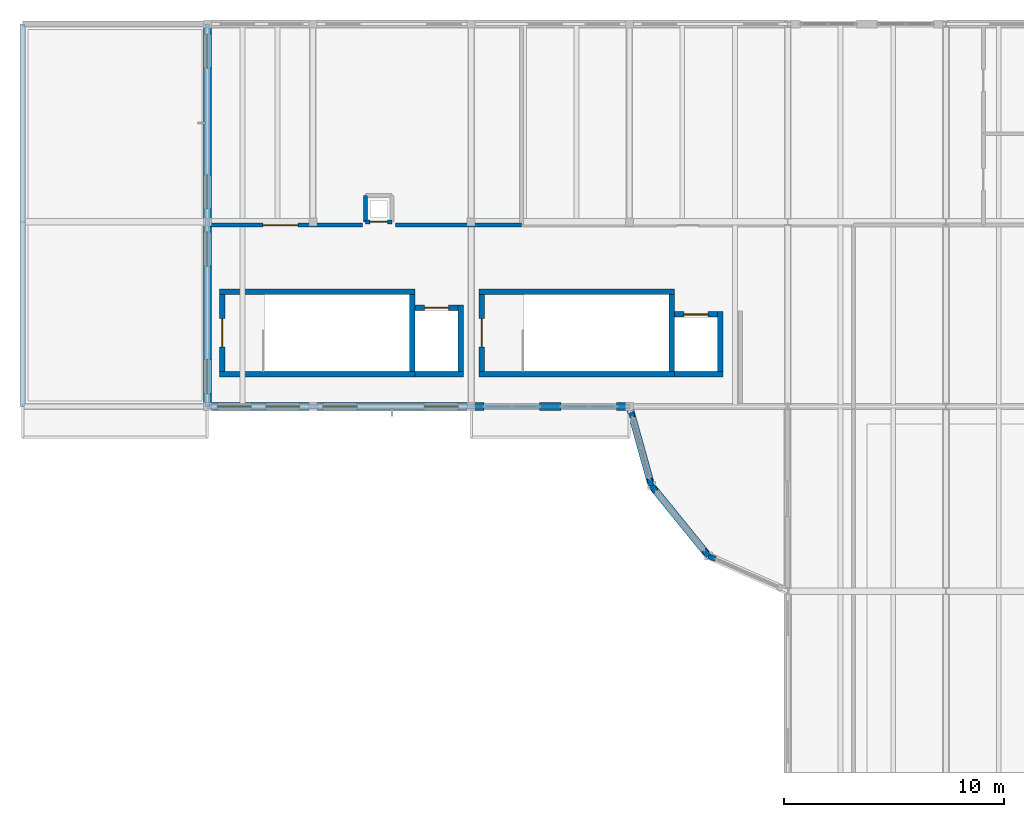
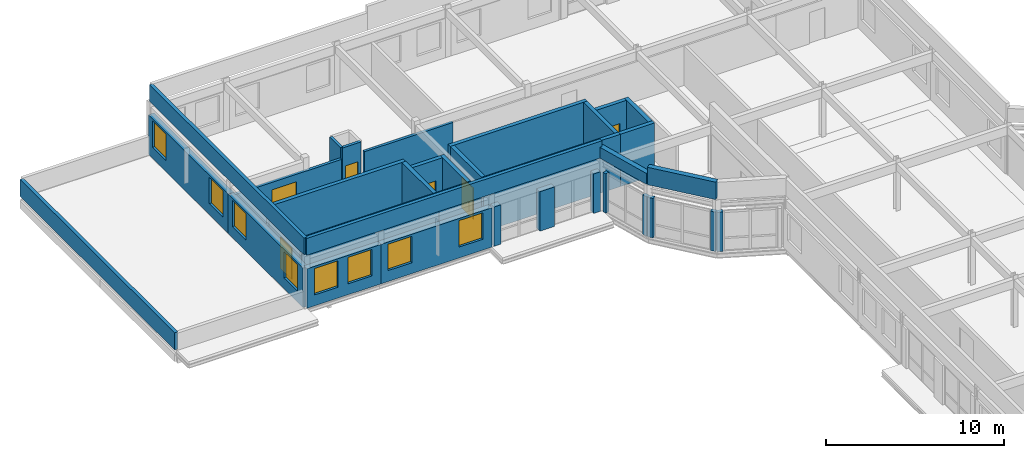
# One storey, part 17 of 21: 35 walls, 8 windows, 6 doors, 14 openings.
"""IFC4 building model written with IfcOpenShell, lengths in metres."""

import ifcopenshell
import ifcopenshell.guid

model = None  # the IFC model being written
_history = None  # IfcOwnerHistory: only IFC2X3 demands one
_inside = {}  # id of a spatial element -> (the spatial element, [elements in it])
_under = {}  # id of a project, library or spatial element -> (it, [spatial elements below it])
_declared = {}  # id of a project -> (the project, [libraries it declares])
_typed = {}  # id of a type object -> (the type object, [elements of that type])
_made_of = {}  # id of a material, layer set ... -> (it, [elements and type objects made of it])


def new_model(schema):
    """Start an empty IFC model of exactly this schema.

    Asked for "IFC4X3", IfcOpenShell would pick the latest addendum, in which some entities
    have other attributes; the version numbers below select the first issue.
    IFC2X3 requires an IfcOwnerHistory on every rooted entity: one is made here for all.
    """
    global model, _history
    if schema == "IFC4X3":
        model = ifcopenshell.file(schema_version=(4, 3, 0, 0))
    else:
        model = ifcopenshell.file(schema=schema)
    _inside.clear()
    _under.clear()
    _declared.clear()
    _typed.clear()
    _made_of.clear()
    _history = None
    if model.schema == "IFC2X3":
        org = make("IfcOrganization", Name="unknown")
        user = make(
            "IfcPersonAndOrganization",
            ThePerson=make("IfcPerson", FamilyName="unknown"),
            TheOrganization=org,
        )
        app = make(
            "IfcApplication",
            ApplicationDeveloper=org,
            Version="unknown",
            ApplicationFullName="unknown",
            ApplicationIdentifier="unknown",
        )
        _history = make(
            "IfcOwnerHistory",
            OwningUser=user,
            OwningApplication=app,
            ChangeAction="ADDED",
            CreationDate=0,
        )
    return model


def make(cls, **values):
    """One entity of the class cls with the attributes given. An attribute that is None is left unset."""
    return model.create_entity(
        cls, **{name: value for name, value in values.items() if value is not None}
    )


def rooted(cls, **values):
    """An entity with a GlobalId (a new one), such as an element, a storey or a relation."""
    return make(cls, GlobalId=ifcopenshell.guid.new(), OwnerHistory=_history, **values)


def si_unit(unit_type, name, prefix=None):
    """IfcSIUnit, for example si_unit("LENGTHUNIT", "METRE", prefix="MILLI")."""
    return make("IfcSIUnit", UnitType=unit_type, Prefix=prefix, Name=name)


def assignment(units):
    """IfcUnitAssignment: the units of a project."""
    return None if units is None else make("IfcUnitAssignment", Units=units)


def point(xyz):
    """IfcCartesianPoint."""
    return None if xyz is None else make("IfcCartesianPoint", Coordinates=xyz)


def direction(xyz):
    """IfcDirection."""
    return None if xyz is None else make("IfcDirection", DirectionRatios=xyz)


def frame(location, z_axis=None, x_axis=None):
    """IfcAxis2Placement3D, a coordinate frame: its origin and axes. An axis left out is left unset."""
    return make(
        "IfcAxis2Placement3D",
        Location=point(location),
        Axis=direction(z_axis),
        RefDirection=direction(x_axis),
    )


def frame_2d(location, x_axis=None):
    """IfcAxis2Placement2D, a coordinate frame in the plane: its origin and x axis."""
    return make(
        "IfcAxis2Placement2D", Location=point(location), RefDirection=direction(x_axis)
    )


def origin():
    """The frame at (0, 0, 0) with its axes left unset."""
    return frame((0.0, 0.0, 0.0))


def place(relative_to, where):
    """IfcLocalPlacement: puts the frame where relative to a parent placement (None: the world)."""
    return make(
        "IfcLocalPlacement", PlacementRelTo=relative_to, RelativePlacement=where
    )


def context(
    kind, dimensions, precision=None, world=None, true_north=None, identifier=None
):
    """IfcGeometricRepresentationContext, for example the 3D "Model" context."""
    return make(
        "IfcGeometricRepresentationContext",
        ContextIdentifier=identifier,
        ContextType=kind,
        CoordinateSpaceDimension=dimensions,
        Precision=precision,
        WorldCoordinateSystem=world,
        TrueNorth=true_north,
    )


def subcontext(parent, identifier, kind, view, scale=None):
    """IfcGeometricRepresentationSubContext, for example "Body" below "Model"."""
    return make(
        "IfcGeometricRepresentationSubContext",
        ContextIdentifier=identifier,
        ContextType=kind,
        ParentContext=parent,
        TargetScale=scale,
        TargetView=view,
    )


def project(units=None, contexts=None):
    """IfcProject with its units and contexts."""
    return rooted(
        "IfcProject",
        Name="project",
        RepresentationContexts=contexts,
        UnitsInContext=assignment(units),
    )


def spatial(cls, under=None, at=None, **own):
    """A site, building, storey or space (cls), placed at a placement, below another one or the project."""
    s = rooted(cls, ObjectPlacement=at, **own)
    if under is not None:
        _under.setdefault(under.id(), (under, []))[1].append(s)
    return s


def profile(cls, at=None, kind="AREA", **sizes):
    """A parametric profile (cls). Its sizes go by their IFC names, for example OverallWidth=200.0."""
    return make(cls, ProfileType=kind, Position=at, **sizes)


def rectangle(**sizes):
    """IfcRectangleProfileDef."""
    return profile("IfcRectangleProfileDef", **sizes)


def extrude(swept, where, along, depth):
    """IfcExtrudedAreaSolid: the profile swept, set in the frame where, extruded along a direction by depth."""
    return make(
        "IfcExtrudedAreaSolid",
        SweptArea=swept,
        Position=where,
        ExtrudedDirection=direction(along),
        Depth=depth,
    )


def shape(context_of_items, identifier, shape_type, items):
    """IfcShapeRepresentation: the items that make up one representation, for example the "Body"."""
    return make(
        "IfcShapeRepresentation",
        ContextOfItems=context_of_items,
        RepresentationIdentifier=identifier,
        RepresentationType=shape_type,
        Items=items,
    )


def material(Name=None, Category=None):
    """IfcMaterial."""
    return make("IfcMaterial", Name=Name, Category=Category)


def layer(
    of_material, thickness, ventilated=None, Name=None, Category=None, Priority=None
):
    """IfcMaterialLayer: one layer of a wall or slab, of a material (None: an air gap)."""
    return make(
        "IfcMaterialLayer",
        Material=of_material,
        LayerThickness=thickness,
        IsVentilated=ventilated,
        Name=Name,
        Category=Category,
        Priority=Priority,
    )


def layer_set(layers, Name=None):
    """IfcMaterialLayerSet."""
    return make("IfcMaterialLayerSet", MaterialLayers=layers, LayerSetName=Name)


def made_of(thing, what):
    """Note that an element or type object is made of a material, layer set ...; save() writes the relation."""
    if what is not None:
        _made_of.setdefault(what.id(), (what, []))[1].append(thing)
    return thing


def type_object(cls, material=None, **own):
    """A type object (cls), such as IfcWallType, which elements share."""
    return made_of(rooted(cls, **own), material)


def element(
    cls,
    number,
    at=None,
    inside=None,
    cuts=None,
    type_object=None,
    material=None,
    context=None,
    identifier="Body",
    shape_type=None,
    held_by="IfcProductDefinitionShape",
    body=None,
    shapes=None,
    **own,
):
    """One element of the class cls, such as IfcWall. Its Tag is "e" and its number.

    at: its placement. inside: the storey or other place that contains it. cuts: it is an
    opening in that element (IfcRelVoidsElement). A single representation is given by context,
    identifier, shape_type and body (its items); several are given by shapes. held_by: the class
    of the entity that holds the representations. save() writes the other relations.
    """
    e = rooted(cls, Tag="e%d" % number, ObjectPlacement=at, **own)
    if body is not None:
        shapes = [shape(context, identifier, shape_type, body)]
    if shapes is not None:
        e.Representation = make(held_by, Representations=shapes)
    if inside is not None:
        _inside.setdefault(inside.id(), (inside, []))[1].append(e)
    if cuts is not None:
        rooted(
            "IfcRelVoidsElement", RelatingBuildingElement=cuts, RelatedOpeningElement=e
        )
    if type_object is not None:
        _typed.setdefault(type_object.id(), (type_object, []))[1].append(e)
    return made_of(e, material)


def fill(opening, filler):
    """IfcRelFillsElement: the door or window that sits in an opening."""
    return rooted(
        "IfcRelFillsElement",
        RelatingOpeningElement=opening,
        RelatedBuildingElement=filler,
    )


def aggregate(whole, parts):
    """IfcRelAggregates: a whole, such as a stair, and the parts it consists of."""
    return rooted("IfcRelAggregates", RelatingObject=whole, RelatedObjects=parts)


def save(model, path):
    """Write the relations noted so far, then the file.

    IfcRelAggregates (storeys below a building ...), IfcRelContainedInSpatialStructure (elements
    in a storey), IfcRelDefinesByType, IfcRelAssociatesMaterial and IfcRelDeclares: one each for
    every whole, place, type object, material and project.
    """
    for whole, parts in _under.values():
        aggregate(whole, parts)
    for where, things in _inside.values():
        rooted(
            "IfcRelContainedInSpatialStructure",
            RelatedElements=things,
            RelatingStructure=where,
        )
    for kind, things in _typed.values():
        rooted("IfcRelDefinesByType", RelatedObjects=things, RelatingType=kind)
    for what, things in _made_of.values():
        rooted("IfcRelAssociatesMaterial", RelatedObjects=things, RelatingMaterial=what)
    for by, libraries in _declared.values():
        rooted("IfcRelDeclares", RelatingContext=by, RelatedDefinitions=libraries)
    model.write(path)


model = new_model("IFC4")

# Units and contexts
model_context = context("Model", 3, precision=1e-05, world=origin(), true_north=direction((0.0, 1.0)))
body_context = subcontext(model_context, "Body", "Model", "MODEL_VIEW")
ifc_project = project(units=[si_unit("LENGTHUNIT", "METRE"), si_unit("AREAUNIT", "SQUARE_METRE"), si_unit("VOLUMEUNIT", "CUBIC_METRE"), si_unit("PLANEANGLEUNIT", "RADIAN"), si_unit("MASSUNIT", "GRAM", prefix="KILO")], contexts=[model_context])

# Site, building, storey
site_placement = place(None, origin())
site = spatial("IfcSite", under=ifc_project, at=site_placement, CompositionType="ELEMENT")
building_placement = place(site_placement, origin())
building = spatial("IfcBuilding", under=site, at=building_placement, Name="Kahlenmark Community Centre", CompositionType="ELEMENT")
storey_placement = place(building_placement, frame((0.0, 0.0, 21.60009765625)))
storey = spatial("IfcBuildingStorey", under=building, at=storey_placement, Name="L05", CompositionType="ELEMENT", Elevation=21.60009765625)

# Wall, opening, door
ifc_material_1 = material(Name="Concrete C35/45", Category="concrete")
ifc_layer_1 = layer(ifc_material_1, 0.25)
ifc_layer_set_1 = layer_set([ifc_layer_1], Name="Concrete C35/45")
wall_type_1 = type_object("IfcWallType", Name="WT-CORE-250", PredefinedType="SHEAR", material=ifc_layer_set_1)
wall_1_placement = place(storey_placement, frame((46.675048828125, 102.699951171875, 0.0), z_axis=(0.0, 0.0, 1.0), x_axis=(0.0, -1.0, 0.0)))
wall_1 = element("IfcWall", 1, at=wall_1_placement, inside=storey, type_object=wall_type_1, Name="Core K4 shear wall WL-CORE-K4-L05-0141", PredefinedType="SHEAR", context=body_context, shape_type="SweptSolid", body=[
    extrude(rectangle(XDim=3.5, YDim=0.25, at=frame_2d((1.75, 0.0))), origin(), (0.0, 0.0, 1.0), 3.599853515625),
])
opening_1_placement = place(wall_1_placement, frame((1.10009765625, 0.0, -0.010009765625)))
opening_1 = element("IfcOpeningElement", 2, at=opening_1_placement, cuts=wall_1, Name="Opening FD-K4-L05", PredefinedType="OPENING", context=body_context, shape_type="SweptSolid", body=[
    extrude(rectangle(XDim=1.300048828125, YDim=2.159912109375, at=frame_2d((0.64990234375, 1.080078125))), frame((0.0, 0.135009765625, 0.0), z_axis=(0.0, -1.0, 0.0), x_axis=(1.0, 0.0, 0.0)), (0.0, 0.0, 1.0), 0.27001953125),
])
ifc_material_2 = material(Name="Fire-rated steel-framed timber door FD60S", Category="steel")
door_type_1 = type_object("IfcDoorType", Name="DT-FD-K4-L05", OperationType="NOTDEFINED", PredefinedType="DOOR", material=ifc_material_2)
door_1_placement = place(opening_1_placement, frame((0.0, 0.0, 0.010009765625)))
door_1 = element("IfcDoor", 3, at=door_1_placement, inside=storey, type_object=door_type_1, Name="Core K4 stair fire door L05", OperationType="SINGLE_SWING_RIGHT", OverallHeight=2.14990234375, OverallWidth=1.300048828125, PredefinedType="DOOR", context=body_context, shape_type="SweptSolid", body=[
    extrude(rectangle(XDim=1.300048828125, YDim=2.14990234375, at=frame_2d((0.64990234375, 1.074951171875))), frame((0.0, 0.02490234375, 0.0), z_axis=(0.0, -1.0, 0.0), x_axis=(1.0, 0.0, 0.0)), (0.0, 0.0, 1.0), 0.050048828125),
])
fill(opening_1, door_1)

# Walls
for number, where, z_axis, x_axis, name in (
    (4, (46.550048828125, 99.074951171875, 0.0), (0.0, 0.0, 1.0), (1.0, 0.0, 0.0), "Core K4 shear wall WL-CORE-K4-L05-0142"),
    (5, (46.550048828125, 102.824951171875, 0.0), (0.0, 0.0, 1.0), (1.0, 0.0, 0.0), "Core K4 shear wall WL-CORE-K4-L05-0143"),
):
    element("IfcWall", number, at=place(storey_placement, frame(where, z_axis=z_axis, x_axis=x_axis)), inside=storey, type_object=wall_type_1, Name=name, PredefinedType="SHEAR", context=body_context, shape_type="SweptSolid", body=[
        extrude(rectangle(XDim=8.89990234375, YDim=0.25, at=frame_2d((4.449951171875, 0.0))), origin(), (0.0, 0.0, 1.0), 3.599853515625),
    ])
wall_2_placement = place(storey_placement, frame((55.324951171875, 99.199951171875, 0.0), z_axis=(0.0, 0.0, 1.0), x_axis=(0.0, 1.0, 0.0)))
element("IfcWall", 6, at=wall_2_placement, inside=storey, type_object=wall_type_1, Name="Core K4 shear wall WL-CORE-K4-L05-0144", PredefinedType="SHEAR", context=body_context, shape_type="SweptSolid", body=[
    extrude(rectangle(XDim=3.5, YDim=0.25, at=frame_2d((1.75, 0.0))), origin(), (0.0, 0.0, 1.0), 3.599853515625),
])
wall_3_placement = place(storey_placement, frame((55.449951171875, 99.074951171875, 0.0), z_axis=(0.0, 0.0, 1.0), x_axis=(1.0, 0.0, 0.0)))
element("IfcWall", 7, at=wall_3_placement, inside=storey, type_object=wall_type_1, Name="Core K4 shear wall WL-CORE-K4-L05-0145", PredefinedType="SHEAR", context=body_context, shape_type="SweptSolid", body=[
    extrude(rectangle(XDim=2.2099609375, YDim=0.25, at=frame_2d((1.10498046875, 0.0))), origin(), (0.0, 0.0, 1.0), 3.599853515625),
])
wall_4_placement = place(storey_placement, frame((57.534912109375, 98.949951171875, 0.0), z_axis=(0.0, 0.0, 1.0), x_axis=(0.0, 1.0, 0.0)))
element("IfcWall", 8, at=wall_4_placement, inside=storey, type_object=wall_type_1, Name="Core K4 shear wall WL-CORE-K4-L05-0146", PredefinedType="SHEAR", context=body_context, shape_type="SweptSolid", body=[
    extrude(rectangle(XDim=3.260009765625, YDim=0.25, at=frame_2d((1.6298828125, 0.0))), origin(), (0.0, 0.0, 1.0), 3.599853515625),
])

# Wall, opening, door
wall_5_placement = place(storey_placement, frame((55.449951171875, 102.0849609375, 0.0), z_axis=(0.0, 0.0, 1.0), x_axis=(1.0, 0.0, 0.0)))
wall_5 = element("IfcWall", 9, at=wall_5_placement, inside=storey, type_object=wall_type_1, Name="Core K4 shear wall WL-CORE-K4-L05-0147", PredefinedType="SHEAR", context=body_context, shape_type="SweptSolid", body=[
    extrude(rectangle(XDim=1.9599609375, YDim=0.25, at=frame_2d((0.97998046875, 0.0))), origin(), (0.0, 0.0, 1.0), 3.599853515625),
])
opening_2_placement = place(wall_5_placement, frame((0.429931640625, 0.0, -0.010009765625)))
opening_2 = element("IfcOpeningElement", 10, at=opening_2_placement, cuts=wall_5, Name="Opening LD-4", PredefinedType="OPENING", context=body_context, shape_type="SweptSolid", body=[
    extrude(rectangle(XDim=1.10009765625, YDim=2.159912109375, at=frame_2d((0.550048828125, 1.080078125))), frame((0.0, 0.135009765625, 0.0), z_axis=(0.0, -1.0, 0.0), x_axis=(1.0, 0.0, 0.0)), (0.0, 0.0, 1.0), 0.27001953125),
])
ifc_material_3 = material(Name="Brushed stainless steel sliding lift landing door", Category="steel")
door_type_2 = type_object("IfcDoorType", Name="DT-LD-K4", OperationType="SLIDING_TO_LEFT", PredefinedType="DOOR", material=ifc_material_3)
door_2_placement = place(opening_2_placement, frame((0.0, 0.0, 0.010009765625)))
door_2 = element("IfcDoor", 11, at=door_2_placement, inside=storey, type_object=door_type_2, Name="Lift LF-04 sliding landing door L05", OperationType="SLIDING_TO_LEFT", OverallHeight=2.14990234375, OverallWidth=1.10009765625, PredefinedType="DOOR", context=body_context, shape_type="SweptSolid", body=[
    extrude(rectangle(XDim=1.10009765625, YDim=2.14990234375, at=frame_2d((0.550048828125, 1.074951171875))), frame((0.0, 0.02490234375, 0.0), z_axis=(0.0, -1.0, 0.0), x_axis=(1.0, 0.0, 0.0)), (0.0, 0.0, 1.0), 0.050048828125),
])
fill(opening_2, door_2)

wall_6_placement = place(storey_placement, frame((58.47509765625, 102.699951171875, 0.0), z_axis=(0.0, 0.0, 1.0), x_axis=(0.0, -1.0, 0.0)))
wall_6 = element("IfcWall", 12, at=wall_6_placement, inside=storey, type_object=wall_type_1, Name="Core K5 shear wall WL-CORE-K5-L05-0190", PredefinedType="SHEAR", context=body_context, shape_type="SweptSolid", body=[
    extrude(rectangle(XDim=3.5, YDim=0.25, at=frame_2d((1.75, 0.0))), origin(), (0.0, 0.0, 1.0), 3.599853515625),
])
opening_3_placement = place(wall_6_placement, frame((1.10009765625, 0.0, -0.010009765625)))
opening_3 = element("IfcOpeningElement", 13, at=opening_3_placement, cuts=wall_6, Name="Opening FD-K5-L05", PredefinedType="OPENING", context=body_context, shape_type="SweptSolid", body=[
    extrude(rectangle(XDim=1.300048828125, YDim=2.159912109375, at=frame_2d((0.64990234375, 1.080078125))), frame((0.0, 0.135009765625, 0.0), z_axis=(0.0, -1.0, 0.0), x_axis=(1.0, 0.0, 0.0)), (0.0, 0.0, 1.0), 0.27001953125),
])
door_type_3 = type_object("IfcDoorType", Name="DT-FD-K5-L05", OperationType="NOTDEFINED", PredefinedType="DOOR", material=ifc_material_2)
door_3_placement = place(opening_3_placement, frame((1.300048828125, 0.0, 0.010009765625), z_axis=(0.0, 0.0, 1.0), x_axis=(-1.0, 0.0, 0.0)))
door_3 = element("IfcDoor", 14, at=door_3_placement, inside=storey, type_object=door_type_3, Name="Core K5 stair fire door L05", OperationType="SINGLE_SWING_LEFT", OverallHeight=2.14990234375, OverallWidth=1.300048828125, PredefinedType="DOOR", context=body_context, shape_type="SweptSolid", body=[
    extrude(rectangle(XDim=1.300048828125, YDim=2.14990234375, at=frame_2d((0.64990234375, 1.074951171875))), frame((0.0, 0.02490234375, 0.0), z_axis=(0.0, -1.0, 0.0), x_axis=(1.0, 0.0, 0.0)), (0.0, 0.0, 1.0), 0.050048828125),
])
fill(opening_3, door_3)

# Walls
for number, where, z_axis, x_axis, name in (
    (15, (58.35009765625, 99.074951171875, 0.0), (0.0, 0.0, 1.0), (1.0, 0.0, 0.0), "Core K5 shear wall WL-CORE-K5-L05-0191"),
    (16, (58.35009765625, 102.824951171875, 0.0), (0.0, 0.0, 1.0), (1.0, 0.0, 0.0), "Core K5 shear wall WL-CORE-K5-L05-0192"),
):
    element("IfcWall", number, at=place(storey_placement, frame(where, z_axis=z_axis, x_axis=x_axis)), inside=storey, type_object=wall_type_1, Name=name, PredefinedType="SHEAR", context=body_context, shape_type="SweptSolid", body=[
        extrude(rectangle(XDim=8.89990234375, YDim=0.25, at=frame_2d((4.449951171875, 0.0))), origin(), (0.0, 0.0, 1.0), 3.599853515625),
    ])
wall_7_placement = place(storey_placement, frame((67.125, 99.199951171875, 0.0), z_axis=(0.0, 0.0, 1.0), x_axis=(0.0, 1.0, 0.0)))
element("IfcWall", 17, at=wall_7_placement, inside=storey, type_object=wall_type_1, Name="Core K5 shear wall WL-CORE-K5-L05-0193", PredefinedType="SHEAR", context=body_context, shape_type="SweptSolid", body=[
    extrude(rectangle(XDim=3.5, YDim=0.25, at=frame_2d((1.75, 0.0))), origin(), (0.0, 0.0, 1.0), 3.599853515625),
])
wall_8_placement = place(storey_placement, frame((67.25, 99.074951171875, 0.0), z_axis=(0.0, 0.0, 1.0), x_axis=(1.0, 0.0, 0.0)))
element("IfcWall", 18, at=wall_8_placement, inside=storey, type_object=wall_type_1, Name="Core K5 shear wall WL-CORE-K5-L05-0194", PredefinedType="SHEAR", context=body_context, shape_type="SweptSolid", body=[
    extrude(rectangle(XDim=2.2099609375, YDim=0.25, at=frame_2d((1.10498046875, 0.0))), origin(), (0.0, 0.0, 1.0), 3.599853515625),
])
wall_9_placement = place(storey_placement, frame((69.3349609375, 98.949951171875, 0.0), z_axis=(0.0, 0.0, 1.0), x_axis=(0.0, 1.0, 0.0)))
element("IfcWall", 19, at=wall_9_placement, inside=storey, type_object=wall_type_1, Name="Core K5 shear wall WL-CORE-K5-L05-0195", PredefinedType="SHEAR", context=body_context, shape_type="SweptSolid", body=[
    extrude(rectangle(XDim=2.9599609375, YDim=0.25, at=frame_2d((1.47998046875, 0.0))), origin(), (0.0, 0.0, 1.0), 3.599853515625),
])

# Wall, opening, door
wall_10_placement = place(storey_placement, frame((67.25, 101.784912109375, 0.0), z_axis=(0.0, 0.0, 1.0), x_axis=(1.0, 0.0, 0.0)))
wall_10 = element("IfcWall", 20, at=wall_10_placement, inside=storey, type_object=wall_type_1, Name="Core K5 shear wall WL-CORE-K5-L05-0196", PredefinedType="SHEAR", context=body_context, shape_type="SweptSolid", body=[
    extrude(rectangle(XDim=1.9599609375, YDim=0.25, at=frame_2d((0.97998046875, 0.0))), origin(), (0.0, 0.0, 1.0), 3.599853515625),
])
opening_4_placement = place(wall_10_placement, frame((0.429931640625, 0.0, -0.010009765625)))
opening_4 = element("IfcOpeningElement", 21, at=opening_4_placement, cuts=wall_10, Name="Opening LD-5", PredefinedType="OPENING", context=body_context, shape_type="SweptSolid", body=[
    extrude(rectangle(XDim=1.10009765625, YDim=2.159912109375, at=frame_2d((0.550048828125, 1.080078125))), frame((0.0, 0.135009765625, 0.0), z_axis=(0.0, -1.0, 0.0), x_axis=(1.0, 0.0, 0.0)), (0.0, 0.0, 1.0), 0.27001953125),
])
door_type_4 = type_object("IfcDoorType", Name="DT-LD-K5", OperationType="SLIDING_TO_LEFT", PredefinedType="DOOR", material=ifc_material_3)
door_4_placement = place(opening_4_placement, frame((0.0, 0.0, 0.010009765625)))
door_4 = element("IfcDoor", 22, at=door_4_placement, inside=storey, type_object=door_type_4, Name="Lift LF-05 sliding landing door L05", OperationType="SLIDING_TO_LEFT", OverallHeight=2.14990234375, OverallWidth=1.10009765625, PredefinedType="DOOR", context=body_context, shape_type="SweptSolid", body=[
    extrude(rectangle(XDim=1.10009765625, YDim=2.14990234375, at=frame_2d((0.550048828125, 1.074951171875))), frame((0.0, 0.02490234375, 0.0), z_axis=(0.0, -1.0, 0.0), x_axis=(1.0, 0.0, 0.0)), (0.0, 0.0, 1.0), 0.050048828125),
])
fill(opening_4, door_4)

# Walls
ifc_material_4 = material(Name="Cross-laminated timber CLT C24", Category="wood")
ifc_layer_2 = layer(ifc_material_4, 0.239990234375)
ifc_layer_set_2 = layer_set([ifc_layer_2], Name="Cross-laminated timber CLT C24")
wall_type_2 = type_object("IfcWallType", Name="WT-EW-240", PredefinedType="SOLIDWALL", material=ifc_layer_set_2)
wall_11_placement = place(storey_placement, frame((65.27490234375, 97.330078125, 0.0), z_axis=(0.0, 0.0, 1.0), x_axis=(0.267529355044, -0.963549710285, 0.0)))
element("IfcWall", 23, at=wall_11_placement, inside=storey, type_object=wall_type_2, Name="Rotunda pier closure 0798", PredefinedType="SOLIDWALL", context=body_context, shape_type="SweptSolid", body=[
    extrude(rectangle(XDim=0.219970703125, YDim=0.239990234375, at=frame_2d((0.10986328125, 0.0))), origin(), (0.0, 0.0, 1.0), 2.7099609375),
])
for number, where, z_axis, x_axis, name in (
    (24, (66.10888671875, 94.32763671875, 0.0), (0.0, 0.0, 1.0), (0.267791974516, -0.963476755498, 0.0), "Rotunda pier closure 0799"),
    (25, (66.199951171875, 94.0, 0.0), (0.0, 0.0, 1.0), (0.630457451131, -0.776223809422, 0.0), "Rotunda pier closure 0800"),
    (26, (68.585693359375, 91.06396484375, 0.0), (0.0, 0.0, 1.0), (0.630457451131, -0.776223809422, 0.0), "Rotunda pier closure 0801"),
):
    element("IfcWall", number, at=place(storey_placement, frame(where, z_axis=z_axis, x_axis=x_axis)), inside=storey, type_object=wall_type_2, Name=name, PredefinedType="SOLIDWALL", context=body_context, shape_type="SweptSolid", body=[
        extrude(rectangle(XDim=0.340087890625, YDim=0.239990234375, at=frame_2d((0.169921875, 0.0))), origin(), (0.0, 0.0, 1.0), 2.7099609375),
    ])
wall_12_placement = place(storey_placement, frame((68.800048828125, 90.800048828125, 0.0), z_axis=(0.0, 0.0, 1.0), x_axis=(0.913633745955, -0.406538286329, 0.0)))
element("IfcWall", 27, at=wall_12_placement, inside=storey, type_object=wall_type_2, Name="Rotunda pier closure 0802", PredefinedType="SOLIDWALL", context=body_context, shape_type="SweptSolid", body=[
    extrude(rectangle(XDim=0.33984375, YDim=0.239990234375, at=frame_2d((0.169921875, 0.0))), origin(), (0.0, 0.0, 1.0), 2.7099609375),
])

# Wall, openings, windows
ifc_material_5 = material(Name="Danube limestone masonry", Category="masonry")
ifc_layer_3 = layer(ifc_material_5, 0.360107421875)
ifc_layer_set_3 = layer_set([ifc_layer_3], Name="Danube limestone masonry")
wall_type_3 = type_object("IfcWallType", Name="WT-EW-360", PredefinedType="SOLIDWALL", material=ifc_layer_set_3)
wall_13_placement = place(storey_placement, frame((46.0, 97.60009765625, 0.0), z_axis=(0.0, 0.0, 1.0), x_axis=(1.0, 0.0, 0.0)))
wall_13 = element("IfcWall", 28, at=wall_13_placement, inside=storey, type_object=wall_type_3, Name="Exterior wall WL-EXT-L05-0667", PredefinedType="SOLIDWALL", context=body_context, shape_type="SweptSolid", body=[
    extrude(rectangle(XDim=4.800048828125, YDim=0.360107421875, at=frame_2d((2.39990234375, 0.0))), origin(), (0.0, 0.0, 1.0), 2.7099609375),
])
opening_5_placement = place(wall_13_placement, frame((0.4599609375, 0.0, 0.75)))
opening_5 = element("IfcOpeningElement", 29, at=opening_5_placement, cuts=wall_13, Name="Opening W-155X182", PredefinedType="OPENING", context=body_context, shape_type="SweptSolid", body=[
    extrude(rectangle(XDim=1.550048828125, YDim=1.820068359375, at=frame_2d((0.77490234375, 0.91015625))), frame((0.0, 0.18994140625, 0.0), z_axis=(0.0, -1.0, 0.0), x_axis=(1.0, 0.0, 0.0)), (0.0, 0.0, 1.0), 0.380126953125),
])
opening_6_placement = place(wall_13_placement, frame((2.659912109375, 0.0, 0.75)))
opening_6 = element("IfcOpeningElement", 30, at=opening_6_placement, cuts=wall_13, Name="Opening W-155X182", PredefinedType="OPENING", context=body_context, shape_type="SweptSolid", body=[
    extrude(rectangle(XDim=1.550048828125, YDim=1.820068359375, at=frame_2d((0.77490234375, 0.91015625))), frame((0.0, 0.18994140625, 0.0), z_axis=(0.0, -1.0, 0.0), x_axis=(1.0, 0.0, 0.0)), (0.0, 0.0, 1.0), 0.380126953125),
])
ifc_material_6 = material(Name="Deep-reveal limestone punched triple glazing", Category="masonry")
window_type = type_object("IfcWindowType", Name="WNT-155X182", PartitioningType="DOUBLE_PANEL_HORIZONTAL", PredefinedType="WINDOW", material=ifc_material_6)
window_1_placement = place(opening_5_placement, origin())
window_1 = element("IfcWindow", 31, at=window_1_placement, inside=storey, type_object=window_type, Name="Window W-155X182 #0447", OverallHeight=1.820068359375, OverallWidth=1.550048828125, PartitioningType="DOUBLE_PANEL_HORIZONTAL", PredefinedType="WINDOW", context=body_context, shape_type="SweptSolid", body=[
    extrude(rectangle(XDim=1.550048828125, YDim=1.820068359375, at=frame_2d((0.77490234375, 0.91015625))), frame((0.0, 0.030029296875, 0.0), z_axis=(0.0, -1.0, 0.0), x_axis=(1.0, 0.0, 0.0)), (0.0, 0.0, 1.0), 0.06005859375),
])
fill(opening_5, window_1)
window_2_placement = place(opening_6_placement, origin())
window_2 = element("IfcWindow", 32, at=window_2_placement, inside=storey, type_object=window_type, Name="Window W-155X182 #0448", OverallHeight=1.820068359375, OverallWidth=1.550048828125, PartitioningType="DOUBLE_PANEL_HORIZONTAL", PredefinedType="WINDOW", context=body_context, shape_type="SweptSolid", body=[
    extrude(rectangle(XDim=1.550048828125, YDim=1.820068359375, at=frame_2d((0.77490234375, 0.91015625))), frame((0.0, 0.030029296875, 0.0), z_axis=(0.0, -1.0, 0.0), x_axis=(1.0, 0.0, 0.0)), (0.0, 0.0, 1.0), 0.06005859375),
])
fill(opening_6, window_2)

wall_14_placement = place(storey_placement, frame((50.800048828125, 97.60009765625, 0.0), z_axis=(0.0, 0.0, 1.0), x_axis=(1.0, 0.0, 0.0)))
wall_14 = element("IfcWall", 33, at=wall_14_placement, inside=storey, type_object=wall_type_3, Name="Exterior wall WL-EXT-L05-0668", PredefinedType="SOLIDWALL", context=body_context, shape_type="SweptSolid", body=[
    extrude(rectangle(XDim=7.199951171875, YDim=0.360107421875, at=frame_2d((3.60009765625, 0.0))), origin(), (0.0, 0.0, 1.0), 2.7099609375),
])
opening_7_placement = place(wall_14_placement, frame((0.4599609375, 0.0, 0.75)))
opening_7 = element("IfcOpeningElement", 34, at=opening_7_placement, cuts=wall_14, Name="Opening W-155X182", PredefinedType="OPENING", context=body_context, shape_type="SweptSolid", body=[
    extrude(rectangle(XDim=1.550048828125, YDim=1.820068359375, at=frame_2d((0.77490234375, 0.91015625))), frame((0.0, 0.18994140625, 0.0), z_axis=(0.0, -1.0, 0.0), x_axis=(1.0, 0.0, 0.0)), (0.0, 0.0, 1.0), 0.380126953125),
])
opening_8_placement = place(wall_14_placement, frame((5.06005859375, 0.0, 0.75)))
opening_8 = element("IfcOpeningElement", 35, at=opening_8_placement, cuts=wall_14, Name="Opening W-155X182", PredefinedType="OPENING", context=body_context, shape_type="SweptSolid", body=[
    extrude(rectangle(XDim=1.550048828125, YDim=1.820068359375, at=frame_2d((0.77490234375, 0.91015625))), frame((0.0, 0.18994140625, 0.0), z_axis=(0.0, -1.0, 0.0), x_axis=(1.0, 0.0, 0.0)), (0.0, 0.0, 1.0), 0.380126953125),
])
window_3_placement = place(opening_7_placement, origin())
window_3 = element("IfcWindow", 36, at=window_3_placement, inside=storey, type_object=window_type, Name="Window W-155X182 #0449", OverallHeight=1.820068359375, OverallWidth=1.550048828125, PartitioningType="DOUBLE_PANEL_HORIZONTAL", PredefinedType="WINDOW", context=body_context, shape_type="SweptSolid", body=[
    extrude(rectangle(XDim=1.550048828125, YDim=1.820068359375, at=frame_2d((0.77490234375, 0.91015625))), frame((0.0, 0.030029296875, 0.0), z_axis=(0.0, -1.0, 0.0), x_axis=(1.0, 0.0, 0.0)), (0.0, 0.0, 1.0), 0.06005859375),
])
fill(opening_7, window_3)
window_4_placement = place(opening_8_placement, origin())
window_4 = element("IfcWindow", 37, at=window_4_placement, inside=storey, type_object=window_type, Name="Window W-155X182 #0450", OverallHeight=1.820068359375, OverallWidth=1.550048828125, PartitioningType="DOUBLE_PANEL_HORIZONTAL", PredefinedType="WINDOW", context=body_context, shape_type="SweptSolid", body=[
    extrude(rectangle(XDim=1.550048828125, YDim=1.820068359375, at=frame_2d((0.77490234375, 0.91015625))), frame((0.0, 0.030029296875, 0.0), z_axis=(0.0, -1.0, 0.0), x_axis=(1.0, 0.0, 0.0)), (0.0, 0.0, 1.0), 0.06005859375),
])
fill(opening_8, window_4)

# Walls
wall_15_placement = place(storey_placement, frame((61.1201171875, 97.60009765625, 0.0), z_axis=(0.0, 0.0, 1.0), x_axis=(1.0, 0.0, 0.0)))
element("IfcWall", 38, at=wall_15_placement, inside=storey, type_object=wall_type_3, Name="Postmodern limestone pier 0669", PredefinedType="SOLIDWALL", context=body_context, shape_type="SweptSolid", body=[
    extrude(rectangle(XDim=0.9599609375, YDim=0.360107421875, at=frame_2d((0.47998046875, 0.0))), origin(), (0.0, 0.0, 1.0), 2.7099609375),
])
wall_16_placement = place(storey_placement, frame((58.1298828125, 97.60009765625, 0.0), z_axis=(0.0, 0.0, 1.0), x_axis=(1.0, 0.0, 0.0)))
element("IfcWall", 39, at=wall_16_placement, inside=storey, type_object=wall_type_3, Name="Column closure pier 0670", PredefinedType="SOLIDWALL", context=body_context, shape_type="SweptSolid", body=[
    extrude(rectangle(XDim=0.4501953125, YDim=0.360107421875, at=frame_2d((0.22509765625, 0.0))), origin(), (0.0, 0.0, 1.0), 2.7099609375),
])
wall_17_placement = place(storey_placement, frame((64.6201171875, 97.60009765625, 0.0), z_axis=(0.0, 0.0, 1.0), x_axis=(1.0, 0.0, 0.0)))
element("IfcWall", 40, at=wall_17_placement, inside=storey, type_object=wall_type_3, Name="Column closure pier 0671", PredefinedType="SOLIDWALL", context=body_context, shape_type="SweptSolid", body=[
    extrude(rectangle(XDim=0.449951171875, YDim=0.360107421875, at=frame_2d((0.22509765625, 0.0))), origin(), (0.0, 0.0, 1.0), 2.7099609375),
])

# Wall, openings, windows
wall_18_placement = place(storey_placement, frame((46.0, 106.0, 0.0), z_axis=(0.0, 0.0, 1.0), x_axis=(0.0, -1.0, 0.0)))
wall_18 = element("IfcWall", 41, at=wall_18_placement, inside=storey, type_object=wall_type_3, Name="Exterior wall WL-EXT-L05-0680", PredefinedType="SOLIDWALL", context=body_context, shape_type="SweptSolid", body=[
    extrude(rectangle(XDim=8.39990234375, YDim=0.360107421875, at=frame_2d((4.199951171875, 0.0))), origin(), (0.0, 0.0, 1.0), 2.7099609375),
])
opening_9_placement = place(wall_18_placement, frame((0.4599609375, 0.0, 0.75)))
opening_9 = element("IfcOpeningElement", 42, at=opening_9_placement, cuts=wall_18, Name="Opening W-155X182", PredefinedType="OPENING", context=body_context, shape_type="SweptSolid", body=[
    extrude(rectangle(XDim=1.550048828125, YDim=1.820068359375, at=frame_2d((0.77490234375, 0.91015625))), frame((0.0, 0.18994140625, 0.0), z_axis=(0.0, -1.0, 0.0), x_axis=(1.0, 0.0, 0.0)), (0.0, 0.0, 1.0), 0.380126953125),
])
opening_10_placement = place(wall_18_placement, frame((6.260009765625, 0.0, 0.75)))
opening_10 = element("IfcOpeningElement", 43, at=opening_10_placement, cuts=wall_18, Name="Opening W-155X182", PredefinedType="OPENING", context=body_context, shape_type="SweptSolid", body=[
    extrude(rectangle(XDim=1.550048828125, YDim=1.820068359375, at=frame_2d((0.77490234375, 0.91015625))), frame((0.0, 0.18994140625, 0.0), z_axis=(0.0, -1.0, 0.0), x_axis=(1.0, 0.0, 0.0)), (0.0, 0.0, 1.0), 0.380126953125),
])
window_5_placement = place(opening_9_placement, origin())
window_5 = element("IfcWindow", 44, at=window_5_placement, inside=storey, type_object=window_type, Name="Window W-155X182 #0461", OverallHeight=1.820068359375, OverallWidth=1.550048828125, PartitioningType="DOUBLE_PANEL_HORIZONTAL", PredefinedType="WINDOW", context=body_context, shape_type="SweptSolid", body=[
    extrude(rectangle(XDim=1.550048828125, YDim=1.820068359375, at=frame_2d((0.77490234375, 0.91015625))), frame((0.0, 0.030029296875, 0.0), z_axis=(0.0, -1.0, 0.0), x_axis=(1.0, 0.0, 0.0)), (0.0, 0.0, 1.0), 0.06005859375),
])
fill(opening_9, window_5)
window_6_placement = place(opening_10_placement, origin())
window_6 = element("IfcWindow", 45, at=window_6_placement, inside=storey, type_object=window_type, Name="Window W-155X182 #0462", OverallHeight=1.820068359375, OverallWidth=1.550048828125, PartitioningType="DOUBLE_PANEL_HORIZONTAL", PredefinedType="WINDOW", context=body_context, shape_type="SweptSolid", body=[
    extrude(rectangle(XDim=1.550048828125, YDim=1.820068359375, at=frame_2d((0.77490234375, 0.91015625))), frame((0.0, 0.030029296875, 0.0), z_axis=(0.0, -1.0, 0.0), x_axis=(1.0, 0.0, 0.0)), (0.0, 0.0, 1.0), 0.06005859375),
])
fill(opening_10, window_6)

wall_19_placement = place(storey_placement, frame((46.0, 115.0, 0.0), z_axis=(0.0, 0.0, 1.0), x_axis=(0.0, -1.0, 0.0)))
wall_19 = element("IfcWall", 46, at=wall_19_placement, inside=storey, type_object=wall_type_3, Name="Exterior wall WL-EXT-L05-0681", PredefinedType="SOLIDWALL", context=body_context, shape_type="SweptSolid", body=[
    extrude(rectangle(XDim=9.0, YDim=0.360107421875, at=frame_2d((4.5, 0.0))), origin(), (0.0, 0.0, 1.0), 2.7099609375),
])
opening_11_placement = place(wall_19_placement, frame((0.4599609375, 0.0, 0.75)))
opening_11 = element("IfcOpeningElement", 47, at=opening_11_placement, cuts=wall_19, Name="Opening W-155X182", PredefinedType="OPENING", context=body_context, shape_type="SweptSolid", body=[
    extrude(rectangle(XDim=1.550048828125, YDim=1.820068359375, at=frame_2d((0.77490234375, 0.91015625))), frame((0.0, 0.18994140625, 0.0), z_axis=(0.0, -1.0, 0.0), x_axis=(1.0, 0.0, 0.0)), (0.0, 0.0, 1.0), 0.380126953125),
])
opening_12_placement = place(wall_19_placement, frame((6.860107421875, 0.0, 0.75)))
opening_12 = element("IfcOpeningElement", 48, at=opening_12_placement, cuts=wall_19, Name="Opening W-155X182", PredefinedType="OPENING", context=body_context, shape_type="SweptSolid", body=[
    extrude(rectangle(XDim=1.550048828125, YDim=1.820068359375, at=frame_2d((0.77490234375, 0.91015625))), frame((0.0, 0.18994140625, 0.0), z_axis=(0.0, -1.0, 0.0), x_axis=(1.0, 0.0, 0.0)), (0.0, 0.0, 1.0), 0.380126953125),
])
window_7_placement = place(opening_11_placement, origin())
window_7 = element("IfcWindow", 49, at=window_7_placement, inside=storey, type_object=window_type, Name="Window W-155X182 #0463", OverallHeight=1.820068359375, OverallWidth=1.550048828125, PartitioningType="DOUBLE_PANEL_HORIZONTAL", PredefinedType="WINDOW", context=body_context, shape_type="SweptSolid", body=[
    extrude(rectangle(XDim=1.550048828125, YDim=1.820068359375, at=frame_2d((0.77490234375, 0.91015625))), frame((0.0, 0.030029296875, 0.0), z_axis=(0.0, -1.0, 0.0), x_axis=(1.0, 0.0, 0.0)), (0.0, 0.0, 1.0), 0.06005859375),
])
fill(opening_11, window_7)
window_8_placement = place(opening_12_placement, origin())
window_8 = element("IfcWindow", 50, at=window_8_placement, inside=storey, type_object=window_type, Name="Window W-155X182 #0464", OverallHeight=1.820068359375, OverallWidth=1.550048828125, PartitioningType="DOUBLE_PANEL_HORIZONTAL", PredefinedType="WINDOW", context=body_context, shape_type="SweptSolid", body=[
    extrude(rectangle(XDim=1.550048828125, YDim=1.820068359375, at=frame_2d((0.77490234375, 0.91015625))), frame((0.0, 0.030029296875, 0.0), z_axis=(0.0, -1.0, 0.0), x_axis=(1.0, 0.0, 0.0)), (0.0, 0.0, 1.0), 0.06005859375),
])
fill(opening_12, window_8)

# Walls
ifc_material_7 = material(Name="Concrete C30/37", Category="concrete")
ifc_layer_4 = layer(ifc_material_7, 0.219970703125)
ifc_layer_set_4 = layer_set([ifc_layer_4], Name="Concrete C30/37")
wall_type_4 = type_object("IfcWallType", Name="WT-PAR-220", PredefinedType="PARAPET", material=ifc_layer_set_4)
wall_20_placement = place(storey_placement, frame((37.60009765625, 97.60009765625, 0.0), z_axis=(0.0, 0.0, 1.0), x_axis=(0.0, 1.0, 0.0)))
element("IfcWall", 51, at=wall_20_placement, inside=storey, type_object=wall_type_4, Name="Roof parapet 1057", PredefinedType="PARAPET", context=body_context, shape_type="SweptSolid", body=[
    extrude(rectangle(XDim=17.39990234375, YDim=0.219970703125, at=frame_2d((8.699951171875, 0.0))), origin(), (0.0, 0.0, 1.0), 1.179931640625),
])
wall_21_placement = place(storey_placement, frame((46.0, 97.60009765625, 3.599853515625), z_axis=(0.0, 0.0, 1.0), x_axis=(1.0, 0.0, 0.0)))
element("IfcWall", 52, at=wall_21_placement, inside=storey, type_object=wall_type_4, Name="Roof parapet 1058", PredefinedType="PARAPET", context=body_context, shape_type="SweptSolid", body=[
    extrude(rectangle(XDim=19.199951171875, YDim=0.219970703125, at=frame_2d((9.60009765625, 0.0))), origin(), (0.0, 0.0, 1.0), 1.150146484375),
])
wall_22_placement = place(storey_placement, frame((46.0, 97.60009765625, 3.599853515625), z_axis=(0.0, 0.0, 1.0), x_axis=(0.0, 1.0, 0.0)))
element("IfcWall", 53, at=wall_22_placement, inside=storey, type_object=wall_type_4, Name="Roof parapet 1062", PredefinedType="PARAPET", context=body_context, shape_type="SweptSolid", body=[
    extrude(rectangle(XDim=17.39990234375, YDim=0.219970703125, at=frame_2d((8.699951171875, 0.0))), origin(), (0.0, 0.0, 1.0), 1.150146484375),
])
ifc_layer_5 = layer(ifc_material_5, 0.320068359375)
ifc_layer_set_5 = layer_set([ifc_layer_5], Name="Danube limestone masonry")
wall_type_5 = type_object("IfcWallType", Name="WT-PAR-PED320", PredefinedType="PARAPET", material=ifc_layer_set_5)
wall_23_placement = place(storey_placement, frame((65.199951171875, 97.60009765625, 3.599853515625), z_axis=(0.0, 0.0, 1.0), x_axis=(0.267637123724, -0.963519781844, 0.0)))
element("IfcWall", 54, at=wall_23_placement, inside=storey, type_object=wall_type_5, Name="Postmodern rotunda drum crown 0804", PredefinedType="PARAPET", context=body_context, shape_type="SweptSolid", body=[
    extrude(rectangle(XDim=3.736328125, YDim=0.320068359375, at=frame_2d((1.8681640625, 0.0))), origin(), (0.0, 0.0, 1.0), 0.75),
])
wall_24_placement = place(storey_placement, frame((66.199951171875, 94.0, 3.599853515625), z_axis=(0.0, 0.0, 1.0), x_axis=(0.630612687458, -0.776097699015, 0.0)))
element("IfcWall", 55, at=wall_24_placement, inside=storey, type_object=wall_type_5, Name="Postmodern rotunda drum crown 0805", PredefinedType="PARAPET", context=body_context, shape_type="SweptSolid", body=[
    extrude(rectangle(XDim=4.123046875, YDim=0.320068359375, at=frame_2d((2.0615234375, 0.0))), origin(), (0.0, 0.0, 1.0), 1.199951171875),
])

# Wall, opening, door
ifc_material_8 = material(Name="Gypsum plasterboard partition", Category="gypsum")
ifc_layer_6 = layer(ifc_material_8, 0.179931640625)
ifc_layer_set_6 = layer_set([ifc_layer_6], Name="Gypsum plasterboard partition")
wall_type_6 = type_object("IfcWallType", Name="WT-PW-180", PredefinedType="PARTITIONING", material=ifc_layer_set_6)
wall_25_placement = place(storey_placement, frame((46.139892578125, 105.85009765625, 0.0), z_axis=(0.0, 0.0, 1.0), x_axis=(1.0, 0.0, 0.0)))
wall_25 = element("IfcWall", 56, at=wall_25_placement, inside=storey, type_object=wall_type_6, Name="Interior partition WL-INT-L05-0277", PredefinedType="PARTITIONING", context=body_context, shape_type="SweptSolid", body=[
    extrude(rectangle(XDim=6.91015625, YDim=0.179931640625, at=frame_2d((3.455078125, 0.0))), origin(), (0.0, 0.0, 1.0), 2.7099609375),
])
opening_13_placement = place(wall_25_placement, frame((2.388916015625, 0.0, -0.010009765625)))
opening_13 = element("IfcOpeningElement", 57, at=opening_13_placement, cuts=wall_25, Name="Opening D-L05-158", PredefinedType="OPENING", context=body_context, shape_type="SweptSolid", body=[
    extrude(rectangle(XDim=1.60009765625, YDim=2.2099609375, at=frame_2d((0.800048828125, 1.10498046875))), frame((0.0, 0.099853515625, 0.0), z_axis=(0.0, -1.0, 0.0), x_axis=(1.0, 0.0, 0.0)), (0.0, 0.0, 1.0), 0.199951171875),
])
ifc_material_9 = material(Name="Oak double-leaf acoustic door")
door_type_5 = type_object("IfcDoorType", Name="DT-DBL-160X220", OperationType="NOTDEFINED", PredefinedType="DOOR", material=ifc_material_9)
door_5_placement = place(opening_13_placement, frame((0.0, 0.0, 0.010009765625)))
door_5 = element("IfcDoor", 58, at=door_5_placement, inside=storey, type_object=door_type_5, Name="Interior door D-L05-158", OperationType="DOUBLE_SWING_LEFT", OverallHeight=2.199951171875, OverallWidth=1.60009765625, PredefinedType="DOOR", context=body_context, shape_type="SweptSolid", body=[
    extrude(rectangle(XDim=1.60009765625, YDim=2.199951171875, at=frame_2d((0.800048828125, 1.10009765625))), frame((0.0, 0.02490234375, 0.0), z_axis=(0.0, -1.0, 0.0), x_axis=(1.0, 0.0, 0.0)), (0.0, 0.0, 1.0), 0.050048828125),
])
fill(opening_13, door_5)

# Wall
wall_26_placement = place(storey_placement, frame((54.550048828125, 105.85009765625, 0.0), z_axis=(0.0, 0.0, 1.0), x_axis=(1.0, 0.0, 0.0)))
element("IfcWall", 59, at=wall_26_placement, inside=storey, type_object=wall_type_6, Name="Interior partition WL-INT-L05-0278", PredefinedType="PARTITIONING", context=body_context, shape_type="SweptSolid", body=[
    extrude(rectangle(XDim=5.75, YDim=0.179931640625, at=frame_2d((2.875, 0.0))), origin(), (0.0, 0.0, 1.0), 2.7099609375),
])

# Wall, opening, door
ifc_material_10 = material(Name="Masonry blockwork", Category="masonry")
ifc_layer_7 = layer(ifc_material_10, 0.179931640625)
ifc_layer_set_7 = layer_set([ifc_layer_7], Name="Masonry blockwork")
wall_type_7 = type_object("IfcWallType", Name="WT-RISER-180", PredefinedType="SOLIDWALL", material=ifc_layer_set_7)
wall_27_placement = place(storey_placement, frame((53.199951171875, 106.0, 0.0), z_axis=(0.0, 0.0, 1.0), x_axis=(1.0, 0.0, 0.0)))
wall_27 = element("IfcWall", 60, at=wall_27_placement, inside=storey, type_object=wall_type_7, Name="Riser RS-07 shaft wall L05.1", PredefinedType="SOLIDWALL", context=body_context, shape_type="SweptSolid", body=[
    extrude(rectangle(XDim=1.199951171875, YDim=0.179931640625, at=frame_2d((0.60009765625, 0.0))), origin(), (0.0, 0.0, 1.0), 3.349853515625),
])
opening_14_placement = place(wall_27_placement, frame((0.199951171875, 0.0, -0.010009765625)))
opening_14 = element("IfcOpeningElement", 61, at=opening_14_placement, cuts=wall_27, Name="Opening FD-RS80", PredefinedType="OPENING", context=body_context, shape_type="SweptSolid", body=[
    extrude(rectangle(XDim=0.800048828125, YDim=2.06005859375, at=frame_2d((0.39990234375, 1.030029296875))), frame((0.0, 0.099853515625, 0.0), z_axis=(0.0, -1.0, 0.0), x_axis=(1.0, 0.0, 0.0)), (0.0, 0.0, 1.0), 0.199951171875),
])
ifc_material_11 = material(Name="Fire-rated steel service riser door FD60S", Category="steel")
door_type_6 = type_object("IfcDoorType", Name="DT-RISER-80X205", OperationType="NOTDEFINED", PredefinedType="DOOR", material=ifc_material_11)
door_6_placement = place(opening_14_placement, frame((0.0, 0.0, 0.010009765625)))
door_6 = element("IfcDoor", 62, at=door_6_placement, inside=storey, type_object=door_type_6, Name="Riser RS-07 access door L05", OperationType="SINGLE_SWING_RIGHT", OverallHeight=2.050048828125, OverallWidth=0.800048828125, PredefinedType="DOOR", context=body_context, shape_type="SweptSolid", body=[
    extrude(rectangle(XDim=0.800048828125, YDim=2.050048828125, at=frame_2d((0.39990234375, 1.02490234375))), frame((0.0, 0.02490234375, 0.0), z_axis=(0.0, -1.0, 0.0), x_axis=(1.0, 0.0, 0.0)), (0.0, 0.0, 1.0), 0.050048828125),
])
fill(opening_14, door_6)

# Wall
wall_28_placement = place(storey_placement, frame((53.199951171875, 107.199951171875, 0.0), z_axis=(0.0, 0.0, 1.0), x_axis=(0.0, -1.0, 0.0)))
element("IfcWall", 63, at=wall_28_placement, inside=storey, type_object=wall_type_7, Name="Riser RS-07 shaft wall L05.4", PredefinedType="SOLIDWALL", context=body_context, shape_type="SweptSolid", body=[
    extrude(rectangle(XDim=1.199951171875, YDim=0.179931640625, at=frame_2d((0.60009765625, 0.0))), origin(), (0.0, 0.0, 1.0), 3.349853515625),
])

save(model, "model.ifc")
